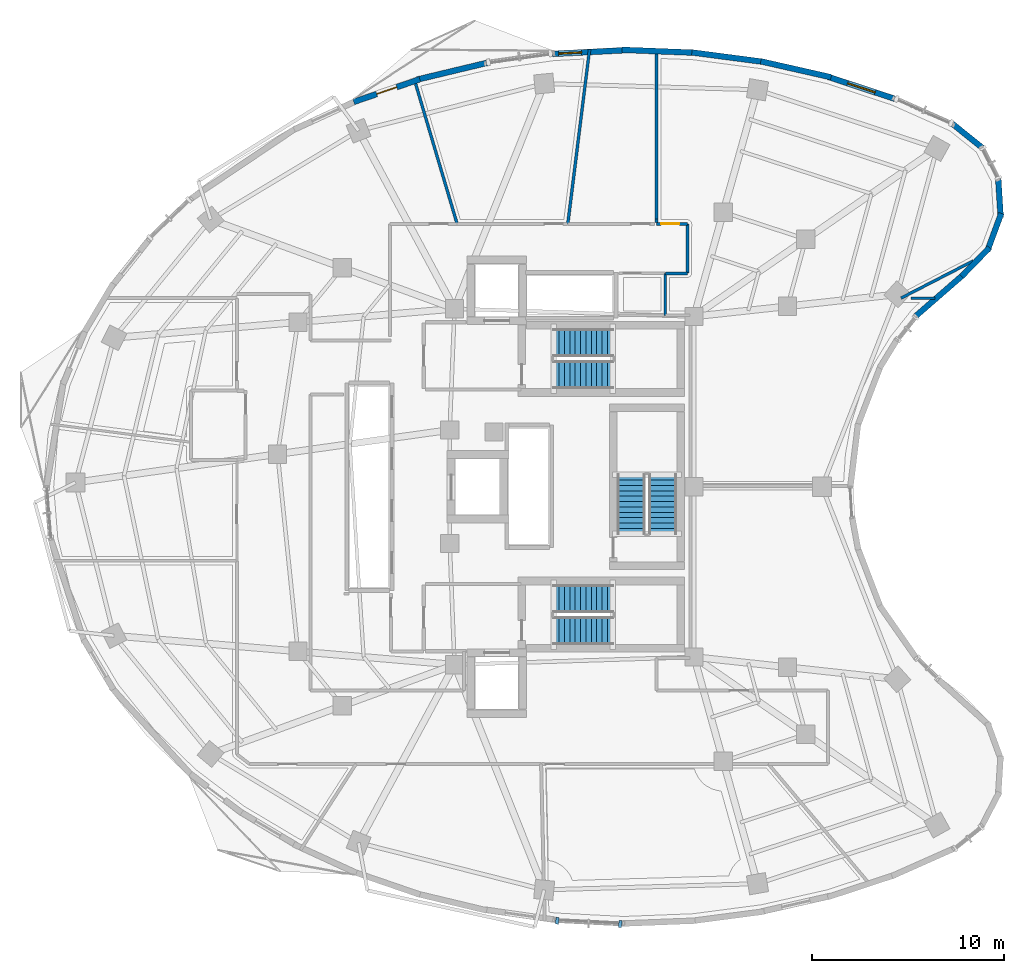
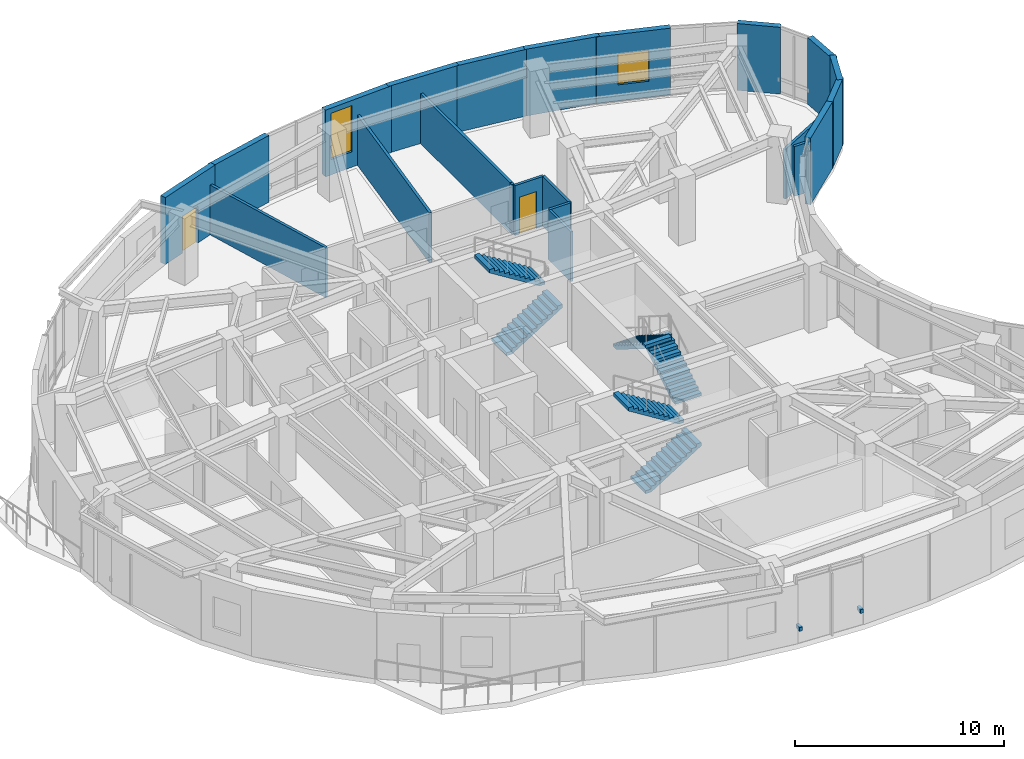
# One storey, part 11 of 15: 22 walls, 6 stair flights, 2 discrete accessories, 2 doors, 2 windows, 4 openings, 3 elements without a shape of their own.
"""IFC4 building model written with IfcOpenShell, lengths in metres."""

from ifc_helpers import new_model, si_unit, direction, frame, frame_2d, origin, origin_2d, place, context, subcontext, project, spatial, polyline, rectangle, outline, extrude, material, layer, layer_set, type_object, element, fill, aggregate, save


model = new_model("IFC4")

# Units and contexts
model_context = context("Model", 3, precision=1e-05, world=origin(), true_north=direction((0.0, 1.0)))
body_context = subcontext(model_context, "Body", "Model", "MODEL_VIEW")
ifc_project = project(units=[si_unit("LENGTHUNIT", "METRE"), si_unit("AREAUNIT", "SQUARE_METRE"), si_unit("VOLUMEUNIT", "CUBIC_METRE"), si_unit("PLANEANGLEUNIT", "RADIAN"), si_unit("MASSUNIT", "GRAM", prefix="KILO")], contexts=[model_context])

# Site, building, storey
site_placement = place(None, origin())
site = spatial("IfcSite", under=ifc_project, at=site_placement, CompositionType="ELEMENT")
building_placement = place(site_placement, origin())
building = spatial("IfcBuilding", under=site, at=building_placement, Name="Korentha Bioscience Tower", CompositionType="ELEMENT")
storey_placement = place(building_placement, frame((0.0, 0.0, 222.60009765625)))
storey = spatial("IfcBuildingStorey", under=building, at=storey_placement, Name="L51", CompositionType="ELEMENT", Elevation=222.60009765625)

# Wall, opening, door
ifc_material_1 = material(Name="Double-Stud Acoustic Gypsum", Category="gypsum")
ifc_layer_1 = layer(ifc_material_1, 0.14990234375, Name="Double-Stud Acoustic Gypsum")
ifc_layer_set_1 = layer_set([ifc_layer_1], Name="Double-Stud Acoustic Gypsum (IW-L150)")
wall_type_1 = type_object("IfcWallType", Name="Acoustic Laboratory Partition Wall 150", PredefinedType="PARTITIONING", material=ifc_layer_set_1)
wall_1_placement = place(storey_placement, frame((37.199951171875, 40.659912109375, 0.0), z_axis=(0.0, 0.0, 1.0), x_axis=(-1.0, 0.0, 0.0)))
wall_1 = element("IfcWall", 1, at=wall_1_placement, inside=storey, type_object=wall_type_1, Name="L51 Scientific Writing Quiet Alcove 07 Entrance Wall", PredefinedType="PARTITIONING", context=body_context, shape_type="SweptSolid", body=[
    extrude(rectangle(XDim=1.597900390625, YDim=0.14990234375, at=frame_2d((0.798828125, 0.0))), origin(), (0.0, 0.0, 1.0), 2.909912109375),
])
opening_1_placement = place(wall_1_placement, frame((0.407958984375, 0.0, 0.0)))
opening_1 = element("IfcOpeningElement", 2, at=opening_1_placement, cuts=wall_1, Name="Opening ID-10L", PredefinedType="OPENING", context=body_context, shape_type="SweptSolid", body=[
    extrude(rectangle(XDim=0.949951171875, YDim=2.14990234375, at=frame_2d((0.47509765625, 1.074951171875))), frame((0.0, 0.08984375, 0.0), z_axis=(0.0, -1.0, 0.0), x_axis=(1.0, 0.0, 0.0)), (0.0, 0.0, 1.0), 0.1796875),
])
ifc_material_2 = material(Name="Phenolic Laminate Timber Core", Category="wood")
door_type_1 = type_object("IfcDoorType", Name="Laboratory Single Leaf Door 950x2150 Left", OperationType="SINGLE_SWING_LEFT", PredefinedType="DOOR", material=ifc_material_2)
door_1_placement = place(opening_1_placement, origin())
door_1 = element("IfcDoor", 3, at=door_1_placement, inside=storey, type_object=door_type_1, Name="L51 Scientific Writing Quiet Alcove 07 Door", OperationType="SINGLE_SWING_LEFT", OverallHeight=2.14990234375, OverallWidth=0.949951171875, PredefinedType="DOOR", context=body_context, shape_type="SweptSolid", body=[
    extrude(rectangle(XDim=0.949951171875, YDim=2.14990234375, at=frame_2d((0.47509765625, 1.074951171875))), frame((0.0, 0.02490234375, 0.0), z_axis=(0.0, -1.0, 0.0), x_axis=(1.0, 0.0, 0.0)), (0.0, 0.0, 1.0), 0.050048828125),
])
fill(opening_1, door_1)

# Walls
wall_2_placement = place(storey_placement, frame((35.60205078125, 40.923095703125, 0.0), z_axis=(0.0, 0.0, 1.0), x_axis=(0.0, 1.0, 0.0)))
element("IfcWall", 4, at=wall_2_placement, inside=storey, type_object=wall_type_1, Name="L51 Interior Partition 040", PredefinedType="PARTITIONING", context=body_context, shape_type="SweptSolid", body=[
    extrude(rectangle(XDim=8.833251953125, YDim=0.14990234375, at=frame_2d((4.41650390625, 0.0))), origin(), (0.0, 0.0, 1.0), 2.909912109375),
])
wall_3_placement = place(storey_placement, frame((52.0673828125, 38.7421875, 0.0), z_axis=(0.0, 0.0, 1.0), x_axis=(-0.88895746022, -0.457989774907, 0.0)))
element("IfcWall", 5, at=wall_3_placement, inside=storey, type_object=wall_type_1, Name="L51 Interior Partition 041", PredefinedType="PARTITIONING", context=body_context, shape_type="SweptSolid", body=[
    extrude(rectangle(XDim=4.228271484375, YDim=0.14990234375, at=frame_2d((2.1142578125, 0.0))), origin(), (0.0, 0.0, 1.0), 2.909912109375),
])
wall_4_placement = place(storey_placement, frame((48.81787109375, 36.798095703125, 0.0), z_axis=(0.0, 0.0, 1.0), x_axis=(1.0, 0.0, 0.0)))
element("IfcWall", 6, at=wall_4_placement, inside=storey, type_object=wall_type_1, Name="L51 Interior Partition 042", PredefinedType="PARTITIONING", context=body_context, shape_type="SweptSolid", body=[
    extrude(rectangle(XDim=1.25927734375, YDim=0.14990234375, at=frame_2d((0.629638671875, 0.0))), origin(), (0.0, 0.0, 1.0), 2.909912109375),
])
wall_5_placement = place(storey_placement, frame((36.06005859375, 38.090087890625, 0.0), z_axis=(0.0, 0.0, 1.0), x_axis=(1.0, 0.0, 0.0)))
element("IfcWall", 7, at=wall_5_placement, inside=storey, type_object=wall_type_1, Name="L51 Interior Partition 045", PredefinedType="PARTITIONING", context=body_context, shape_type="SweptSolid", body=[
    extrude(rectangle(XDim=1.139892578125, YDim=0.14990234375, at=frame_2d((0.56982421875, 0.0))), origin(), (0.0, 0.0, 1.0), 2.909912109375),
])
wall_6_placement = place(storey_placement, frame((37.2099609375, 38.10009765625, 0.0), z_axis=(0.0, 0.0, 1.0), x_axis=(0.0, 1.0, 0.0)))
element("IfcWall", 8, at=wall_6_placement, inside=storey, type_object=wall_type_1, Name="L51 Interior Partition 046", PredefinedType="PARTITIONING", context=body_context, shape_type="SweptSolid", body=[
    extrude(rectangle(XDim=2.5498046875, YDim=0.14990234375, at=frame_2d((1.27490234375, 0.0))), origin(), (0.0, 0.0, 1.0), 2.909912109375),
])
wall_7_placement = place(storey_placement, frame((35.60205078125, 40.738037109375, 0.0), z_axis=(0.0, 0.0, 1.0), x_axis=(0.0, 1.0, 0.0)))
element("IfcWall", 9, at=wall_7_placement, inside=storey, type_object=wall_type_1, Name="L51 Interior Partition 047", PredefinedType="PARTITIONING", context=body_context, shape_type="SweptSolid", body=[
    extrude(rectangle(XDim=0.175048828125, YDim=0.14990234375, at=frame_2d((0.08740234375, 0.0))), origin(), (0.0, 0.0, 1.0), 2.909912109375),
])
wall_8_placement = place(storey_placement, frame((30.987060546875, 40.659912109375, 0.0), z_axis=(0.0, 0.0, 1.0), x_axis=(0.123837473271, 0.992302514465, 0.0)))
element("IfcWall", 10, at=wall_8_placement, inside=storey, type_object=wall_type_1, Name="L51 Interior Partition 048", PredefinedType="PARTITIONING", context=body_context, shape_type="SweptSolid", body=[
    extrude(rectangle(XDim=9.1396484375, YDim=0.14990234375, at=frame_2d((4.56982421875, 0.0))), origin(), (0.0, 0.0, 1.0), 2.909912109375),
])
wall_9_placement = place(storey_placement, frame((25.23583984375, 40.659912109375, 0.0), z_axis=(0.0, 0.0, 1.0), x_axis=(-0.284007193362, 0.958822149368, 0.0)))
element("IfcWall", 11, at=wall_9_placement, inside=storey, type_object=wall_type_1, Name="L51 Interior Partition 049", PredefinedType="PARTITIONING", context=body_context, shape_type="SweptSolid", body=[
    extrude(rectangle(XDim=7.888916015625, YDim=0.14990234375, at=frame_2d((3.9443359375, 0.0))), origin(), (0.0, 0.0, 1.0), 2.909912109375),
])

# Wall, opening, window
ifc_material_3 = material(Name="Honed Limestone Precast Concrete C40", Category="masonry")
ifc_layer_2 = layer(ifc_material_3, 0.300048828125, Name="Honed Limestone Precast Concrete C40")
ifc_layer_set_2 = layer_set([ifc_layer_2], Name="Honed Limestone Precast Concrete C40 (EW-ST300)")
wall_type_2 = type_object("IfcWallType", Name="Honed Limestone Cavity Spandrel Wall 300", PredefinedType="STANDARD", material=ifc_layer_set_2)
wall_10_placement = place(storey_placement, frame((47.97265625, 47.163818359375, 0.0), z_axis=(0.0, 0.0, 1.0), x_axis=(-0.949704682455, 0.313146956114, 0.0)))
wall_10 = element("IfcWall", 12, at=wall_10_placement, inside=storey, type_object=wall_type_2, Name="L51 Honed Limestone Spandrel Wall 02", PredefinedType="STANDARD", context=body_context, shape_type="SweptSolid", body=[
    extrude(rectangle(XDim=3.639404296875, YDim=0.300048828125, at=frame_2d((1.81982421875, 0.0))), origin(), (0.0, 0.0, 1.0), 3.89990234375),
])
opening_2_placement = place(wall_10_placement, frame((1.069580078125, 0.0, 0.949951171875)))
opening_2 = element("IfcOpeningElement", 13, at=opening_2_placement, cuts=wall_10, Name="Opening WN-02", PredefinedType="OPENING", context=body_context, shape_type="SweptSolid", body=[
    extrude(rectangle(XDim=1.5, YDim=1.800048828125, at=frame_2d((0.75, 0.89990234375))), frame((0.0, 0.1650390625, 0.0), z_axis=(0.0, -1.0, 0.0), x_axis=(1.0, 0.0, 0.0)), (0.0, 0.0, 1.0), 0.329833984375),
])
ifc_material_4 = material(Name="Thermally Broken Aluminium Triple Glazing", Category="aluminium")
window_type_1 = type_object("IfcWindowType", Name="Acoustic Operable Office Window 1500x1800", PartitioningType="DOUBLE_PANEL_VERTICAL", PredefinedType="WINDOW", material=ifc_material_4)
window_1_placement = place(opening_2_placement, origin())
window_1 = element("IfcWindow", 14, at=window_1_placement, inside=storey, type_object=window_type_1, Name="L51 Facade Window 02", OverallHeight=1.800048828125, OverallWidth=1.5, PartitioningType="DOUBLE_PANEL_VERTICAL", PredefinedType="WINDOW", context=body_context, shape_type="SweptSolid", body=[
    extrude(rectangle(XDim=1.5, YDim=1.800048828125, at=frame_2d((0.75, 0.89990234375))), frame((0.0, 0.030029296875, 0.0), z_axis=(0.0, -1.0, 0.0), x_axis=(1.0, 0.0, 0.0)), (0.0, 0.0, 1.0), 0.06005859375),
])
fill(opening_2, window_1)

wall_11_placement = place(storey_placement, frame((33.95849609375, 49.6875, 0.0), z_axis=(0.0, 0.0, 1.0), x_axis=(-0.998693948377, -0.051092049037, 0.0)))
wall_11 = element("IfcWall", 15, at=wall_11_placement, inside=storey, type_object=wall_type_2, Name="L51 Honed Limestone Spandrel Wall 06", PredefinedType="STANDARD", context=body_context, shape_type="SweptSolid", body=[
    extrude(rectangle(XDim=3.765380859375, YDim=0.300048828125, at=frame_2d((1.8828125, 0.0))), origin(), (0.0, 0.0, 1.0), 3.89990234375),
])
opening_3_placement = place(wall_11_placement, frame((2.256591796875, 0.0, 0.89990234375)))
opening_3 = element("IfcOpeningElement", 16, at=opening_3_placement, cuts=wall_11, Name="Opening WN-03", PredefinedType="OPENING", context=body_context, shape_type="SweptSolid", body=[
    extrude(rectangle(XDim=1.199951171875, YDim=2.699951171875, at=frame_2d((0.60009765625, 1.35009765625))), frame((0.0, 0.1650390625, 0.0), z_axis=(0.0, -1.0, 0.0), x_axis=(1.0, 0.0, 0.0)), (0.0, 0.0, 1.0), 0.329833984375),
])
window_type_2 = type_object("IfcWindowType", Name="Theatre Foyer Tall Ribbon Window 1200x2700", PartitioningType="SINGLE_PANEL", PredefinedType="WINDOW", material=ifc_material_4)
window_2_placement = place(opening_3_placement, origin())
window_2 = element("IfcWindow", 17, at=window_2_placement, inside=storey, type_object=window_type_2, Name="L51 Facade Window 06", OverallHeight=2.699951171875, OverallWidth=1.199951171875, PartitioningType="SINGLE_PANEL", PredefinedType="WINDOW", context=body_context, shape_type="SweptSolid", body=[
    extrude(rectangle(XDim=1.199951171875, YDim=2.699951171875, at=frame_2d((0.60009765625, 1.35009765625))), frame((0.0, 0.030029296875, 0.0), z_axis=(0.0, -1.0, 0.0), x_axis=(1.0, 0.0, 0.0)), (0.0, 0.0, 1.0), 0.06005859375),
])
fill(opening_3, window_2)

# Wall, opening, door
wall_12_placement = place(storey_placement, frame((23.29638671875, 48.1796875, 0.0), z_axis=(0.0, 0.0, 1.0), x_axis=(-0.945702753898, -0.325032769531, 0.0)))
wall_12 = element("IfcWall", 18, at=wall_12_placement, inside=storey, type_object=wall_type_2, Name="L51 Balcony Threshold Wall 01", PredefinedType="STANDARD", context=body_context, shape_type="SweptSolid", body=[
    extrude(rectangle(XDim=3.62939453125, YDim=0.300048828125, at=frame_2d((1.814697265625, 0.0))), origin(), (0.0, 0.0, 1.0), 3.89990234375),
])
opening_4_placement = place(wall_12_placement, frame((1.264892578125, 0.0, 0.0)))
opening_4 = element("IfcOpeningElement", 19, at=opening_4_placement, cuts=wall_12, Name="Opening BD-11L", PredefinedType="OPENING", context=body_context, shape_type="SweptSolid", body=[
    extrude(rectangle(XDim=1.10009765625, YDim=2.14990234375, at=frame_2d((0.550048828125, 1.074951171875))), frame((0.0, 0.1650390625, 0.0), z_axis=(0.0, -1.0, 0.0), x_axis=(1.0, 0.0, 0.0)), (0.0, 0.0, 1.0), 0.329833984375),
])
ifc_material_5 = material(Name="Thermally Broken Glazed Aluminium", Category="aluminium")
door_type_2 = type_object("IfcDoorType", Name="Balcony Terrace Glazed Door 1100x2150 Left", OperationType="SINGLE_SWING_LEFT", PredefinedType="DOOR", material=ifc_material_5)
door_2_placement = place(opening_4_placement, origin())
door_2 = element("IfcDoor", 20, at=door_2_placement, inside=storey, type_object=door_type_2, Name="L51 Balcony Access Door 01", OperationType="SINGLE_SWING_LEFT", OverallHeight=2.14990234375, OverallWidth=1.10009765625, PredefinedType="DOOR", context=body_context, shape_type="SweptSolid", body=[
    extrude(rectangle(XDim=1.10009765625, YDim=2.14990234375, at=frame_2d((0.550048828125, 1.074951171875))), frame((0.0, 0.02490234375, 0.0), z_axis=(0.0, -1.0, 0.0), x_axis=(1.0, 0.0, 0.0)), (0.0, 0.0, 1.0), 0.050048828125),
])
fill(opening_4, door_2)

# Walls
wall_13_placement = place(storey_placement, frame((44.67041015625, 48.282470703125, 0.0), z_axis=(0.0, 0.0, 1.0), x_axis=(-0.975241674184, 0.221141757557, 0.0)))
element("IfcWall", 21, at=wall_13_placement, inside=storey, type_object=wall_type_2, Name="L51 Limestone Perimeter Closure Wall 03", PredefinedType="STANDARD", context=body_context, shape_type="SweptSolid", body=[
    extrude(rectangle(XDim=3.74267578125, YDim=0.300048828125, at=frame_2d((1.871337890625, 0.0))), origin(), (0.0, 0.0, 1.0), 3.89990234375),
])
wall_14_placement = place(storey_placement, frame((41.190673828125, 49.079833984375, 0.0), z_axis=(0.0, 0.0, 1.0), x_axis=(-0.991512801574, 0.130009093201, 0.0)))
element("IfcWall", 22, at=wall_14_placement, inside=storey, type_object=wall_type_2, Name="L51 Limestone Perimeter Closure Wall 04", PredefinedType="STANDARD", context=body_context, shape_type="SweptSolid", body=[
    extrude(rectangle(XDim=3.785888671875, YDim=0.300048828125, at=frame_2d((1.89306640625, 0.0))), origin(), (0.0, 0.0, 1.0), 3.89990234375),
])
wall_15_placement = place(storey_placement, frame((37.60888671875, 49.557373046875, 0.0), z_axis=(0.0, 0.0, 1.0), x_axis=(-0.999221923177, 0.039440439173, 0.0)))
element("IfcWall", 23, at=wall_15_placement, inside=storey, type_object=wall_type_2, Name="L51 Limestone Perimeter Closure Wall 05", PredefinedType="STANDARD", context=body_context, shape_type="SweptSolid", body=[
    extrude(rectangle(XDim=3.806884765625, YDim=0.300048828125, at=frame_2d((1.9033203125, 0.0))), origin(), (0.0, 0.0, 1.0), 3.89990234375),
])
wall_16_placement = place(storey_placement, frame((26.775146484375, 49.027099609375, 0.0), z_axis=(0.0, 0.0, 1.0), x_axis=(-0.972475629939, -0.233004611918, 0.0)))
element("IfcWall", 24, at=wall_16_placement, inside=storey, type_object=wall_type_2, Name="L51 Limestone Perimeter Closure Wall 08", PredefinedType="STANDARD", context=body_context, shape_type="SweptSolid", body=[
    extrude(rectangle(XDim=3.7353515625, YDim=0.300048828125, at=frame_2d((1.86767578125, 0.0))), origin(), (0.0, 0.0, 1.0), 3.89990234375),
])
wall_17_placement = place(storey_placement, frame((49.039794921875, 35.840087890625, 0.0), z_axis=(0.0, 0.0, 1.0), x_axis=(0.754679026761, 0.656094175075, 0.0)))
element("IfcWall", 25, at=wall_17_placement, inside=storey, type_object=wall_type_2, Name="L51 Limestone Perimeter Closure Wall 56", PredefinedType="STANDARD", context=body_context, shape_type="SweptSolid", body=[
    extrude(rectangle(XDim=3.360595703125, YDim=0.300048828125, at=frame_2d((1.68017578125, 0.0))), origin(), (0.0, 0.0, 1.0), 3.89990234375),
])
for number, where, z_axis, x_axis, name in (
    (26, (51.451416015625, 37.9267578125, 0.0), (0.0, 0.0, 1.0), (0.695810272174, 0.718225636647, 0.0), "L51 Limestone Perimeter Closure Wall 58"),
    (27, (52.79248046875, 39.247314453125, 0.0), (0.0, 0.0, 1.0), (0.346359858312, 0.93810172612, 0.0), "L51 Limestone Perimeter Closure Wall 59"),
    (28, (53.485595703125, 40.997314453125, 0.0), (0.0, 0.0, 1.0), (-0.06186954965, 0.998084244353, 0.0), "L51 Limestone Perimeter Closure Wall 60"),
):
    element("IfcWall", number, at=place(storey_placement, frame(where, z_axis=z_axis, x_axis=x_axis)), inside=storey, type_object=wall_type_2, Name=name, PredefinedType="STANDARD", context=body_context, shape_type="SweptSolid", body=[
        extrude(rectangle(XDim=2.09130859375, YDim=0.300048828125, at=frame_2d((1.045654296875, 0.0))), origin(), (0.0, 0.0, 1.0), 3.89990234375),
    ])
wall_18_placement = place(storey_placement, frame((52.587646484375, 44.5693359375, 0.0), z_axis=(0.0, 0.0, 1.0), x_axis=(-0.779157679167, 0.6268279756, 0.0)))
element("IfcWall", 29, at=wall_18_placement, inside=storey, type_object=wall_type_2, Name="L51 Limestone Perimeter Closure Wall 62", PredefinedType="STANDARD", context=body_context, shape_type="SweptSolid", body=[
    extrude(rectangle(XDim=2.091552734375, YDim=0.300048828125, at=frame_2d((1.0458984375, 0.0))), origin(), (0.0, 0.0, 1.0), 3.89990234375),
])
ifc_material_6 = material(Name="Cement-Board Steel Stud", Category="steel")
ifc_layer_3 = layer(ifc_material_6, 0.1298828125, Name="Cement-Board Steel Stud")
ifc_layer_set_3 = layer_set([ifc_layer_3], Name="Cement-Board Steel Stud (IW-W130)")
wall_type_3 = type_object("IfcWallType", Name="Wet-Area Moisture-Resistant Partition 130", PredefinedType="PARTITIONING", material=ifc_layer_set_3)
wall_19_placement = place(storey_placement, frame((36.050048828125, 38.090087890625, 0.0), z_axis=(0.0, 0.0, 1.0), x_axis=(0.0, -1.0, 0.0)))
element("IfcWall", 30, at=wall_19_placement, inside=storey, type_object=wall_type_3, Name="L51 Interior Partition 015", PredefinedType="PARTITIONING", context=body_context, shape_type="SweptSolid", body=[
    extrude(rectangle(XDim=2.18017578125, YDim=0.1298828125, at=frame_2d((1.090087890625, 0.0))), origin(), (0.0, 0.0, 1.0), 2.909912109375),
])

# Stair, stair flights
ifc_material_7 = material(Name="Precast Concrete C50", Category="concrete")
stair_type = type_object("IfcStairType", Name="Core Exit Dog-Leg Stair 1450", PredefinedType="HALF_TURN_STAIR", material=ifc_material_7)
stair_1_placement = place(storey_placement, origin())
stair_1 = element("IfcStair", 31, at=stair_1_placement, inside=storey, type_object=stair_type, Name="L51 Tower North Pressurized Exit Stair ST-1", PredefinedType="HALF_TURN_STAIR")
stair_flight_type = type_object("IfcStairFlightType", Name="Core Exit Dog-Leg Stair 1450 Flight", PredefinedType="STRAIGHT", material=ifc_material_7)
stair_flight_1_placement = place(storey_placement, frame((30.25, 32.824951171875, 0.0), z_axis=(0.0, 0.0, 1.0), x_axis=(1.0, 0.0, 0.0)))
stair_flight_1 = element("IfcStairFlight", 32, at=stair_flight_1_placement, type_object=stair_flight_type, Name="ST-1 flight 1", NumberOfRisers=12, NumberOfTreads=11, PredefinedType="STRAIGHT", RiserHeight=0.175, TreadLength=0.28, context=body_context, shape_type="SweptSolid", body=[
    extrude(outline(polyline([(0.0, 0.0), (0.0, 0.175048828125), (0.280029296875, 0.175048828125), (0.280029296875, 0.35009765625), (0.56005859375, 0.35009765625), (0.56005859375, 0.52490234375), (0.840087890625, 0.52490234375), (0.840087890625, 0.699951171875), (1.1201171875, 0.699951171875), (1.1201171875, 0.875), (1.39990234375, 0.875), (1.39990234375, 1.050048828125), (1.679931640625, 1.050048828125), (1.679931640625, 1.22509765625), (1.9599609375, 1.22509765625), (1.9599609375, 1.39990234375), (2.239990234375, 1.39990234375), (2.239990234375, 1.574951171875), (2.52001953125, 1.574951171875), (2.52001953125, 1.75), (2.800048828125, 1.75), (2.800048828125, 1.925048828125), (3.080078125, 1.925048828125), (3.080078125, 2.10009765625), (3.080078125, 1.736328125), (0.3017578125, 0.0), (0.0, 0.0)])), frame((0.0, 0.72509765625, 0.0), z_axis=(0.0, -1.0, 0.0), x_axis=(1.0, 0.0, 0.0)), (0.0, 0.0, 1.0), 1.449951171875),
])
stair_flight_2_placement = place(storey_placement, frame((33.330078125, 34.47509765625, 2.099853515625), z_axis=(0.0, 0.0, 1.0), x_axis=(-1.0, 0.0, 0.0)))
stair_flight_2 = element("IfcStairFlight", 33, at=stair_flight_2_placement, type_object=stair_flight_type, Name="ST-1 flight 2", NumberOfRisers=12, NumberOfTreads=11, PredefinedType="STRAIGHT", RiserHeight=0.175, TreadLength=0.28, context=body_context, shape_type="SweptSolid", body=[
    extrude(outline(polyline([(0.0, 0.0), (0.0, 0.175048828125), (0.280029296875, 0.175048828125), (0.280029296875, 0.35009765625), (0.56005859375, 0.35009765625), (0.56005859375, 0.52490234375), (0.840087890625, 0.52490234375), (0.840087890625, 0.699951171875), (1.1201171875, 0.699951171875), (1.1201171875, 0.875), (1.39990234375, 0.875), (1.39990234375, 1.050048828125), (1.679931640625, 1.050048828125), (1.679931640625, 1.22509765625), (1.9599609375, 1.22509765625), (1.9599609375, 1.39990234375), (2.239990234375, 1.39990234375), (2.239990234375, 1.574951171875), (2.52001953125, 1.574951171875), (2.52001953125, 1.75), (2.800048828125, 1.75), (2.800048828125, 1.925048828125), (3.080078125, 1.925048828125), (3.080078125, 2.10009765625), (3.080078125, 1.736328125), (0.3017578125, 0.0), (0.0, 0.0)])), frame((0.0, 0.72509765625, 0.0), z_axis=(0.0, -1.0, 0.0), x_axis=(1.0, 0.0, 0.0)), (0.0, 0.0, 1.0), 1.449951171875),
])
aggregate(stair_1, [stair_flight_1, stair_flight_2])

stair_2_placement = place(storey_placement, origin())
stair_2 = element("IfcStair", 34, at=stair_2_placement, inside=storey, type_object=stair_type, Name="L51 Tower South Pressurized Exit Stair ST-2", PredefinedType="HALF_TURN_STAIR")
stair_flight_3_placement = place(storey_placement, frame((30.25, 19.52490234375, 0.0), z_axis=(0.0, 0.0, 1.0), x_axis=(1.0, 0.0, 0.0)))
stair_flight_3 = element("IfcStairFlight", 35, at=stair_flight_3_placement, type_object=stair_flight_type, Name="ST-2 flight 1", NumberOfRisers=12, NumberOfTreads=11, PredefinedType="STRAIGHT", RiserHeight=0.175, TreadLength=0.28, context=body_context, shape_type="SweptSolid", body=[
    extrude(outline(polyline([(0.0, 0.0), (0.0, 0.175048828125), (0.280029296875, 0.175048828125), (0.280029296875, 0.35009765625), (0.56005859375, 0.35009765625), (0.56005859375, 0.52490234375), (0.840087890625, 0.52490234375), (0.840087890625, 0.699951171875), (1.1201171875, 0.699951171875), (1.1201171875, 0.875), (1.39990234375, 0.875), (1.39990234375, 1.050048828125), (1.679931640625, 1.050048828125), (1.679931640625, 1.22509765625), (1.9599609375, 1.22509765625), (1.9599609375, 1.39990234375), (2.239990234375, 1.39990234375), (2.239990234375, 1.574951171875), (2.52001953125, 1.574951171875), (2.52001953125, 1.75), (2.800048828125, 1.75), (2.800048828125, 1.925048828125), (3.080078125, 1.925048828125), (3.080078125, 2.10009765625), (3.080078125, 1.736328125), (0.3017578125, 0.0), (0.0, 0.0)])), frame((0.0, 0.72509765625, 0.0), z_axis=(0.0, -1.0, 0.0), x_axis=(1.0, 0.0, 0.0)), (0.0, 0.0, 1.0), 1.449951171875),
])
stair_flight_4_placement = place(storey_placement, frame((33.330078125, 21.175048828125, 2.099853515625), z_axis=(0.0, 0.0, 1.0), x_axis=(-1.0, 0.0, 0.0)))
stair_flight_4 = element("IfcStairFlight", 36, at=stair_flight_4_placement, type_object=stair_flight_type, Name="ST-2 flight 2", NumberOfRisers=12, NumberOfTreads=11, PredefinedType="STRAIGHT", RiserHeight=0.175, TreadLength=0.28, context=body_context, shape_type="SweptSolid", body=[
    extrude(outline(polyline([(0.0, 0.0), (0.0, 0.175048828125), (0.280029296875, 0.175048828125), (0.280029296875, 0.35009765625), (0.56005859375, 0.35009765625), (0.56005859375, 0.52490234375), (0.840087890625, 0.52490234375), (0.840087890625, 0.699951171875), (1.1201171875, 0.699951171875), (1.1201171875, 0.875), (1.39990234375, 0.875), (1.39990234375, 1.050048828125), (1.679931640625, 1.050048828125), (1.679931640625, 1.22509765625), (1.9599609375, 1.22509765625), (1.9599609375, 1.39990234375), (2.239990234375, 1.39990234375), (2.239990234375, 1.574951171875), (2.52001953125, 1.574951171875), (2.52001953125, 1.75), (2.800048828125, 1.75), (2.800048828125, 1.925048828125), (3.080078125, 1.925048828125), (3.080078125, 2.10009765625), (3.080078125, 1.736328125), (0.3017578125, 0.0), (0.0, 0.0)])), frame((0.0, 0.72509765625, 0.0), z_axis=(0.0, -1.0, 0.0), x_axis=(1.0, 0.0, 0.0)), (0.0, 0.0, 1.0), 1.449951171875),
])
aggregate(stair_2, [stair_flight_3, stair_flight_4])

stair_3_placement = place(storey_placement, origin())
stair_3 = element("IfcStair", 37, at=stair_3_placement, inside=storey, type_object=stair_type, Name="L51 Tower Central Pressurized Exit Stair ST-3", PredefinedType="HALF_TURN_STAIR")
stair_flight_5_placement = place(storey_placement, frame((35.925048828125, 24.550048828125, 0.0), z_axis=(0.0, 0.0, 1.0), x_axis=(0.0, 1.0, 0.0)))
stair_flight_5 = element("IfcStairFlight", 38, at=stair_flight_5_placement, type_object=stair_flight_type, Name="ST-3 flight 1", NumberOfRisers=12, NumberOfTreads=11, PredefinedType="STRAIGHT", RiserHeight=0.175, TreadLength=0.28, context=body_context, shape_type="SweptSolid", body=[
    extrude(outline(polyline([(0.0, 0.0), (0.0, 0.175048828125), (0.280029296875, 0.175048828125), (0.280029296875, 0.35009765625), (0.56005859375, 0.35009765625), (0.56005859375, 0.52490234375), (0.840087890625, 0.52490234375), (0.840087890625, 0.699951171875), (1.1201171875, 0.699951171875), (1.1201171875, 0.875), (1.39990234375, 0.875), (1.39990234375, 1.050048828125), (1.679931640625, 1.050048828125), (1.679931640625, 1.22509765625), (1.9599609375, 1.22509765625), (1.9599609375, 1.39990234375), (2.239990234375, 1.39990234375), (2.239990234375, 1.574951171875), (2.52001953125, 1.574951171875), (2.52001953125, 1.75), (2.800048828125, 1.75), (2.800048828125, 1.925048828125), (3.080078125, 1.925048828125), (3.080078125, 2.10009765625), (3.080078125, 1.736328125), (0.3017578125, 0.0), (0.0, 0.0)])), frame((0.0, 0.72509765625, 0.0), z_axis=(0.0, -1.0, 0.0), x_axis=(1.0, 0.0, 0.0)), (0.0, 0.0, 1.0), 1.449951171875),
])
stair_flight_6_placement = place(storey_placement, frame((34.27490234375, 27.6298828125, 2.099853515625), z_axis=(0.0, 0.0, 1.0), x_axis=(0.0, -1.0, 0.0)))
stair_flight_6 = element("IfcStairFlight", 39, at=stair_flight_6_placement, type_object=stair_flight_type, Name="ST-3 flight 2", NumberOfRisers=12, NumberOfTreads=11, PredefinedType="STRAIGHT", RiserHeight=0.175, TreadLength=0.28, context=body_context, shape_type="SweptSolid", body=[
    extrude(outline(polyline([(0.0, 0.0), (0.0, 0.175048828125), (0.280029296875, 0.175048828125), (0.280029296875, 0.35009765625), (0.56005859375, 0.35009765625), (0.56005859375, 0.52490234375), (0.840087890625, 0.52490234375), (0.840087890625, 0.699951171875), (1.1201171875, 0.699951171875), (1.1201171875, 0.875), (1.39990234375, 0.875), (1.39990234375, 1.050048828125), (1.679931640625, 1.050048828125), (1.679931640625, 1.22509765625), (1.9599609375, 1.22509765625), (1.9599609375, 1.39990234375), (2.239990234375, 1.39990234375), (2.239990234375, 1.574951171875), (2.52001953125, 1.574951171875), (2.52001953125, 1.75), (2.800048828125, 1.75), (2.800048828125, 1.925048828125), (3.080078125, 1.925048828125), (3.080078125, 2.10009765625), (3.080078125, 1.736328125), (0.3017578125, 0.0), (0.0, 0.0)])), frame((0.0, 0.72509765625, 0.0), z_axis=(0.0, -1.0, 0.0), x_axis=(1.0, 0.0, 0.0)), (0.0, 0.0, 1.0), 1.449951171875),
])
aggregate(stair_3, [stair_flight_5, stair_flight_6])

# Discrete accessories
ifc_material_8 = material(Name="Stainless Steel 316", Category="steel")
discrete_accessory_type = type_object("IfcDiscreteAccessoryType", Name="Stainless Steel Solar-Screen Outrigger Bracket", PredefinedType="BRACKET", material=ifc_material_8)
for number, where, z_axis, x_axis, name in (
    (40, (30.438720703125, 4.442626953125, 0.73974609375), (0.0, 0.0, 1.0), (0.998695818107, -0.051055488397, 0.0), "CW-L51-31 Solar-Screen Support Bracket 1"),
    (41, (33.712646484375, 4.275146484375, 0.73974609375), (0.0, 0.0, 1.0), (0.998695818107, -0.051055488397, 0.0), "CW-L51-31 Solar-Screen Support Bracket 2"),
):
    element("IfcDiscreteAccessory", number, at=place(storey_placement, frame(where, z_axis=z_axis, x_axis=x_axis)), inside=storey, type_object=discrete_accessory_type, Name=name, PredefinedType="BRACKET", context=body_context, shape_type="SweptSolid", body=[
        extrude(rectangle(XDim=0.159912109375, YDim=0.360107421875, at=origin_2d()), origin(), (0.0, 0.0, 1.0), 0.219970703125),
    ])

save(model, "model.ifc")
